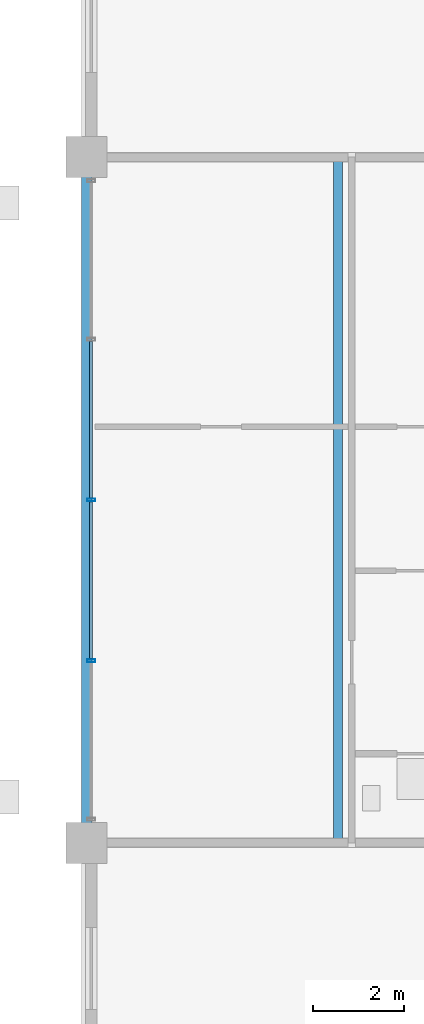
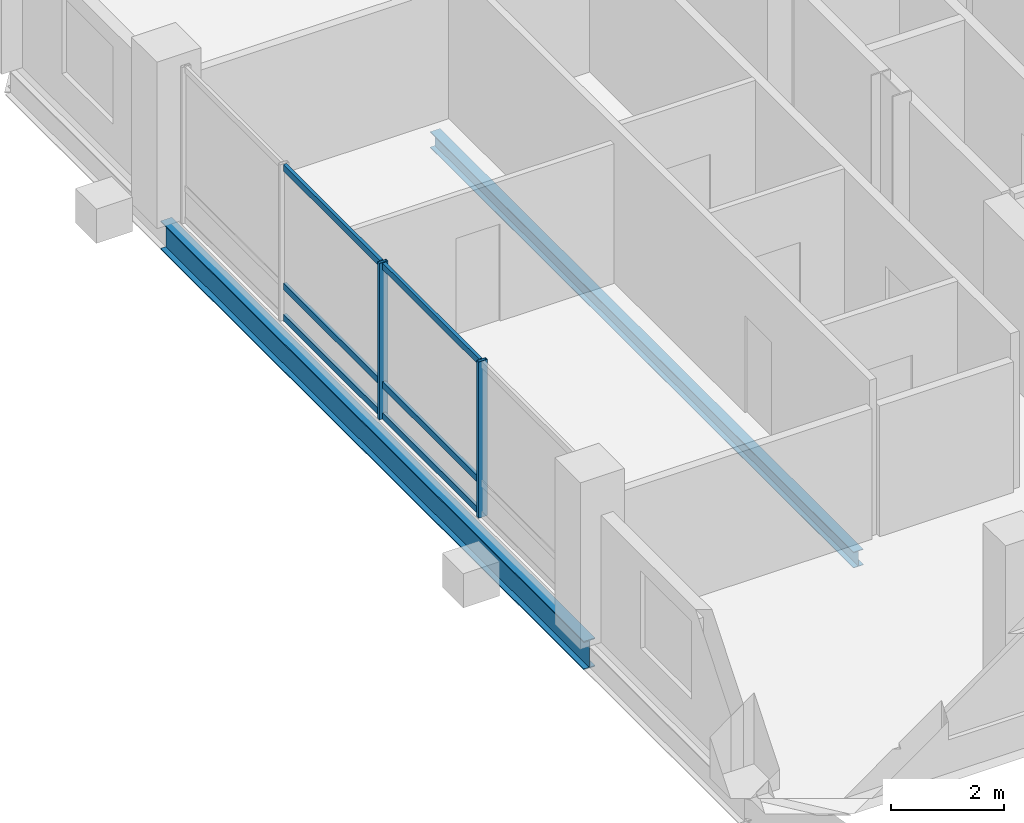
# One storey, part 6 of 21: 8 members, 2 beams, 1 element without a shape of its own.
"""IFC4 building model written with IfcOpenShell, lengths in metres."""

import ifcopenshell
import ifcopenshell.guid

model = None  # the IFC model being written
_history = None  # IfcOwnerHistory: only IFC2X3 demands one
_inside = {}  # id of a spatial element -> (the spatial element, [elements in it])
_under = {}  # id of a project, library or spatial element -> (it, [spatial elements below it])
_declared = {}  # id of a project -> (the project, [libraries it declares])
_typed = {}  # id of a type object -> (the type object, [elements of that type])
_made_of = {}  # id of a material, layer set ... -> (it, [elements and type objects made of it])


def new_model(schema):
    """Start an empty IFC model of exactly this schema.

    Asked for "IFC4X3", IfcOpenShell would pick the latest addendum, in which some entities
    have other attributes; the version numbers below select the first issue.
    IFC2X3 requires an IfcOwnerHistory on every rooted entity: one is made here for all.
    """
    global model, _history
    if schema == "IFC4X3":
        model = ifcopenshell.file(schema_version=(4, 3, 0, 0))
    else:
        model = ifcopenshell.file(schema=schema)
    _inside.clear()
    _under.clear()
    _declared.clear()
    _typed.clear()
    _made_of.clear()
    _history = None
    if model.schema == "IFC2X3":
        org = make("IfcOrganization", Name="unknown")
        user = make(
            "IfcPersonAndOrganization",
            ThePerson=make("IfcPerson", FamilyName="unknown"),
            TheOrganization=org,
        )
        app = make(
            "IfcApplication",
            ApplicationDeveloper=org,
            Version="unknown",
            ApplicationFullName="unknown",
            ApplicationIdentifier="unknown",
        )
        _history = make(
            "IfcOwnerHistory",
            OwningUser=user,
            OwningApplication=app,
            ChangeAction="ADDED",
            CreationDate=0,
        )
    return model


def make(cls, **values):
    """One entity of the class cls with the attributes given. An attribute that is None is left unset."""
    return model.create_entity(
        cls, **{name: value for name, value in values.items() if value is not None}
    )


def rooted(cls, **values):
    """An entity with a GlobalId (a new one), such as an element, a storey or a relation."""
    return make(cls, GlobalId=ifcopenshell.guid.new(), OwnerHistory=_history, **values)


def si_unit(unit_type, name, prefix=None):
    """IfcSIUnit, for example si_unit("LENGTHUNIT", "METRE", prefix="MILLI")."""
    return make("IfcSIUnit", UnitType=unit_type, Prefix=prefix, Name=name)


def assignment(units):
    """IfcUnitAssignment: the units of a project."""
    return None if units is None else make("IfcUnitAssignment", Units=units)


def point(xyz):
    """IfcCartesianPoint."""
    return None if xyz is None else make("IfcCartesianPoint", Coordinates=xyz)


def direction(xyz):
    """IfcDirection."""
    return None if xyz is None else make("IfcDirection", DirectionRatios=xyz)


def frame(location, z_axis=None, x_axis=None):
    """IfcAxis2Placement3D, a coordinate frame: its origin and axes. An axis left out is left unset."""
    return make(
        "IfcAxis2Placement3D",
        Location=point(location),
        Axis=direction(z_axis),
        RefDirection=direction(x_axis),
    )


def frame_2d(location, x_axis=None):
    """IfcAxis2Placement2D, a coordinate frame in the plane: its origin and x axis."""
    return make(
        "IfcAxis2Placement2D", Location=point(location), RefDirection=direction(x_axis)
    )


def origin():
    """The frame at (0, 0, 0) with its axes left unset."""
    return frame((0.0, 0.0, 0.0))


def origin_2d():
    """The frame at (0, 0) in the plane with its x axis left unset."""
    return frame_2d((0.0, 0.0))


def place(relative_to, where):
    """IfcLocalPlacement: puts the frame where relative to a parent placement (None: the world)."""
    return make(
        "IfcLocalPlacement", PlacementRelTo=relative_to, RelativePlacement=where
    )


def context(
    kind, dimensions, precision=None, world=None, true_north=None, identifier=None
):
    """IfcGeometricRepresentationContext, for example the 3D "Model" context."""
    return make(
        "IfcGeometricRepresentationContext",
        ContextIdentifier=identifier,
        ContextType=kind,
        CoordinateSpaceDimension=dimensions,
        Precision=precision,
        WorldCoordinateSystem=world,
        TrueNorth=true_north,
    )


def subcontext(parent, identifier, kind, view, scale=None):
    """IfcGeometricRepresentationSubContext, for example "Body" below "Model"."""
    return make(
        "IfcGeometricRepresentationSubContext",
        ContextIdentifier=identifier,
        ContextType=kind,
        ParentContext=parent,
        TargetScale=scale,
        TargetView=view,
    )


def project(units=None, contexts=None):
    """IfcProject with its units and contexts."""
    return rooted(
        "IfcProject",
        Name="project",
        RepresentationContexts=contexts,
        UnitsInContext=assignment(units),
    )


def spatial(cls, under=None, at=None, **own):
    """A site, building, storey or space (cls), placed at a placement, below another one or the project."""
    s = rooted(cls, ObjectPlacement=at, **own)
    if under is not None:
        _under.setdefault(under.id(), (under, []))[1].append(s)
    return s


def profile(cls, at=None, kind="AREA", **sizes):
    """A parametric profile (cls). Its sizes go by their IFC names, for example OverallWidth=200.0."""
    return make(cls, ProfileType=kind, Position=at, **sizes)


def hollow_rectangle(**sizes):
    """IfcRectangleHollowProfileDef."""
    return profile("IfcRectangleHollowProfileDef", **sizes)


def i_section(**sizes):
    """IfcIShapeProfileDef."""
    return profile("IfcIShapeProfileDef", **sizes)


def extrude(swept, where, along, depth):
    """IfcExtrudedAreaSolid: the profile swept, set in the frame where, extruded along a direction by depth."""
    return make(
        "IfcExtrudedAreaSolid",
        SweptArea=swept,
        Position=where,
        ExtrudedDirection=direction(along),
        Depth=depth,
    )


def shape(context_of_items, identifier, shape_type, items):
    """IfcShapeRepresentation: the items that make up one representation, for example the "Body"."""
    return make(
        "IfcShapeRepresentation",
        ContextOfItems=context_of_items,
        RepresentationIdentifier=identifier,
        RepresentationType=shape_type,
        Items=items,
    )


def material(Name=None, Category=None):
    """IfcMaterial."""
    return make("IfcMaterial", Name=Name, Category=Category)


def layer(
    of_material, thickness, ventilated=None, Name=None, Category=None, Priority=None
):
    """IfcMaterialLayer: one layer of a wall or slab, of a material (None: an air gap)."""
    return make(
        "IfcMaterialLayer",
        Material=of_material,
        LayerThickness=thickness,
        IsVentilated=ventilated,
        Name=Name,
        Category=Category,
        Priority=Priority,
    )


def layer_set(layers, Name=None):
    """IfcMaterialLayerSet."""
    return make("IfcMaterialLayerSet", MaterialLayers=layers, LayerSetName=Name)


def material_profile(
    of_material, cross_section, Name=None, Category=None, Priority=None
):
    """IfcMaterialProfile: a cross section and its material."""
    return make(
        "IfcMaterialProfile",
        Name=Name,
        Material=of_material,
        Profile=cross_section,
        Priority=Priority,
        Category=Category,
    )


def profile_set(profiles, Name=None, composite=None):
    """IfcMaterialProfileSet."""
    return make(
        "IfcMaterialProfileSet",
        Name=Name,
        MaterialProfiles=profiles,
        CompositeProfile=composite,
    )


def made_of(thing, what):
    """Note that an element or type object is made of a material, layer set ...; save() writes the relation."""
    if what is not None:
        _made_of.setdefault(what.id(), (what, []))[1].append(thing)
    return thing


def type_object(cls, material=None, **own):
    """A type object (cls), such as IfcWallType, which elements share."""
    return made_of(rooted(cls, **own), material)


def element(
    cls,
    number,
    at=None,
    inside=None,
    cuts=None,
    type_object=None,
    material=None,
    context=None,
    identifier="Body",
    shape_type=None,
    held_by="IfcProductDefinitionShape",
    body=None,
    shapes=None,
    **own,
):
    """One element of the class cls, such as IfcWall. Its Tag is "e" and its number.

    at: its placement. inside: the storey or other place that contains it. cuts: it is an
    opening in that element (IfcRelVoidsElement). A single representation is given by context,
    identifier, shape_type and body (its items); several are given by shapes. held_by: the class
    of the entity that holds the representations. save() writes the other relations.
    """
    e = rooted(cls, Tag="e%d" % number, ObjectPlacement=at, **own)
    if body is not None:
        shapes = [shape(context, identifier, shape_type, body)]
    if shapes is not None:
        e.Representation = make(held_by, Representations=shapes)
    if inside is not None:
        _inside.setdefault(inside.id(), (inside, []))[1].append(e)
    if cuts is not None:
        rooted(
            "IfcRelVoidsElement", RelatingBuildingElement=cuts, RelatedOpeningElement=e
        )
    if type_object is not None:
        _typed.setdefault(type_object.id(), (type_object, []))[1].append(e)
    return made_of(e, material)


def aggregate(whole, parts):
    """IfcRelAggregates: a whole, such as a stair, and the parts it consists of."""
    return rooted("IfcRelAggregates", RelatingObject=whole, RelatedObjects=parts)


def save(model, path):
    """Write the relations noted so far, then the file.

    IfcRelAggregates (storeys below a building ...), IfcRelContainedInSpatialStructure (elements
    in a storey), IfcRelDefinesByType, IfcRelAssociatesMaterial and IfcRelDeclares: one each for
    every whole, place, type object, material and project.
    """
    for whole, parts in _under.values():
        aggregate(whole, parts)
    for where, things in _inside.values():
        rooted(
            "IfcRelContainedInSpatialStructure",
            RelatedElements=things,
            RelatingStructure=where,
        )
    for kind, things in _typed.values():
        rooted("IfcRelDefinesByType", RelatedObjects=things, RelatingType=kind)
    for what, things in _made_of.values():
        rooted("IfcRelAssociatesMaterial", RelatedObjects=things, RelatingMaterial=what)
    for by, libraries in _declared.values():
        rooted("IfcRelDeclares", RelatingContext=by, RelatedDefinitions=libraries)
    model.write(path)


model = new_model("IFC4")

# Units and contexts
model_context = context("Model", 3, precision=1e-05, world=origin(), true_north=direction((0.0, 1.0)))
body_context = subcontext(model_context, "Body", "Model", "MODEL_VIEW")
ifc_project = project(units=[si_unit("LENGTHUNIT", "METRE"), si_unit("AREAUNIT", "SQUARE_METRE"), si_unit("VOLUMEUNIT", "CUBIC_METRE"), si_unit("PLANEANGLEUNIT", "RADIAN"), si_unit("MASSUNIT", "GRAM", prefix="KILO")], contexts=[model_context])

# Site, building, storey
site_placement = place(None, origin())
site = spatial("IfcSite", under=ifc_project, at=site_placement, CompositionType="ELEMENT")
building_placement = place(site_placement, origin())
building = spatial("IfcBuilding", under=site, at=building_placement, Name="Barlavira Tower and Art Museum", CompositionType="ELEMENT")
storey_placement = place(building_placement, frame((0.0, 0.0, 222.300048828125)))
storey = spatial("IfcBuildingStorey", under=building, at=storey_placement, Name="L57", CompositionType="ELEMENT", Elevation=222.300048828125)

# Curtain wall, members
ifc_material_1 = material(Name="Low-iron coastal laminated glass", Category="glass")
ifc_layer = layer(ifc_material_1, 0.2099609375, Name="Low-iron coastal laminated glass")
ifc_layer_set = layer_set([ifc_layer], Name="Low-iron coastal laminated glass")
curtain_wall_type = type_object("IfcCurtainWallType", Name="Pale-Metal Unitised Curtain Wall Zone 4", PredefinedType="NOTDEFINED", material=ifc_layer_set)
curtain_wall_placement = place(storey_placement, origin())
curtain_wall = element("IfcCurtainWall", 1, at=curtain_wall_placement, inside=storey, type_object=curtain_wall_type, Name="L57 Curtain Wall CW4-L57-W-B3", PredefinedType="NOTDEFINED")
ifc_material_2 = material(Name="Pale anodised aluminium", Category="aluminium")
ifc_material_profile_1 = material_profile(ifc_material_2, hollow_rectangle(XDim=0.06494140625, YDim=0.179931640625, WallThickness=0.00390625, at=origin_2d()), Name="ALU-MULL 65x180x4")
ifc_profile_set_1 = profile_set([ifc_material_profile_1], Name="Pale anodised aluminium")
member_type_1 = type_object("IfcMemberType", Name="Curtain Wall Pale-Metal Mullion 65x180", PredefinedType="MULLION", material=ifc_profile_set_1)
member_1_placement = place(storey_placement, frame((-16.89990234375, 0.0, 0.0), z_axis=(0.0, 0.0, 1.0), x_axis=(0.0, -1.0, 0.0)))
member_1 = element("IfcMember", 2, at=member_1_placement, type_object=member_type_1, Name="CW4-L57-W-B3 Mullion 2", PredefinedType="MULLION", context=body_context, shape_type="SweptSolid", body=[
    extrude(hollow_rectangle(XDim=0.06494140625, YDim=0.179931640625, WallThickness=0.00390625, at=origin_2d()), origin(), (0.0, 0.0, 1.0), 3.3798828125),
])
member_2_placement = place(storey_placement, frame((-16.89990234375, -3.514892578125, 0.0), z_axis=(0.0, 0.0, 1.0), x_axis=(0.0, -1.0, 0.0)))
member_2 = element("IfcMember", 3, at=member_2_placement, type_object=member_type_1, Name="CW4-L57-W-B3 Mullion 3", PredefinedType="MULLION", context=body_context, shape_type="SweptSolid", body=[
    extrude(hollow_rectangle(XDim=0.06494140625, YDim=0.179931640625, WallThickness=0.00390625, at=origin_2d()), origin(), (0.0, 0.0, 1.0), 3.3798828125),
])
ifc_material_profile_2 = material_profile(ifc_material_2, hollow_rectangle(XDim=0.06494140625, YDim=0.139892578125, WallThickness=0.00390625, at=origin_2d()), Name="ALU-TRAN 65x140x4")
ifc_profile_set_2 = profile_set([ifc_material_profile_2], Name="Pale anodised aluminium")
member_type_2 = type_object("IfcMemberType", Name="Curtain Wall Pale-Metal Transom 65x140", PredefinedType="USERDEFINED", material=ifc_profile_set_2)
member_3_placement = place(storey_placement, frame((-16.89990234375, 3.469970703125, 0.070068359375), z_axis=(0.0, -1.0, 0.0), x_axis=(1.0, 0.0, 0.0)))
member_3 = element("IfcMember", 4, at=member_3_placement, type_object=member_type_2, Name="CW4-L57-W-B3 Transom 1.1", ObjectType="TRANSOM", PredefinedType="USERDEFINED", context=body_context, shape_type="SweptSolid", body=[
    extrude(hollow_rectangle(XDim=0.06494140625, YDim=0.139892578125, WallThickness=0.00390625, at=origin_2d()), origin(), (0.0, 0.0, 1.0), 3.425048828125),
])
member_4_placement = place(storey_placement, frame((-16.89990234375, 3.469970703125, 0.743896484375), z_axis=(0.0, -1.0, 0.0), x_axis=(1.0, 0.0, 0.0)))
member_4 = element("IfcMember", 5, at=member_4_placement, type_object=member_type_2, Name="CW4-L57-W-B3 Transom 1.2", ObjectType="TRANSOM", PredefinedType="USERDEFINED", context=body_context, shape_type="SweptSolid", body=[
    extrude(hollow_rectangle(XDim=0.06494140625, YDim=0.139892578125, WallThickness=0.00390625, at=origin_2d()), origin(), (0.0, 0.0, 1.0), 3.425048828125),
])
member_5_placement = place(storey_placement, frame((-16.89990234375, 3.469970703125, 3.31005859375), z_axis=(0.0, -1.0, 0.0), x_axis=(1.0, 0.0, 0.0)))
member_5 = element("IfcMember", 6, at=member_5_placement, type_object=member_type_2, Name="CW4-L57-W-B3 Transom 1.3", ObjectType="TRANSOM", PredefinedType="USERDEFINED", context=body_context, shape_type="SweptSolid", body=[
    extrude(hollow_rectangle(XDim=0.06494140625, YDim=0.139892578125, WallThickness=0.00390625, at=origin_2d()), origin(), (0.0, 0.0, 1.0), 3.425048828125),
])
member_6_placement = place(storey_placement, frame((-16.89990234375, -0.044921875, 0.070068359375), z_axis=(0.0, -1.0, 0.0), x_axis=(1.0, 0.0, 0.0)))
member_6 = element("IfcMember", 7, at=member_6_placement, type_object=member_type_2, Name="CW4-L57-W-B3 Transom 2.1", ObjectType="TRANSOM", PredefinedType="USERDEFINED", context=body_context, shape_type="SweptSolid", body=[
    extrude(hollow_rectangle(XDim=0.06494140625, YDim=0.139892578125, WallThickness=0.00390625, at=origin_2d()), origin(), (0.0, 0.0, 1.0), 3.425048828125),
])
member_7_placement = place(storey_placement, frame((-16.89990234375, -0.044921875, 0.743896484375), z_axis=(0.0, -1.0, 0.0), x_axis=(1.0, 0.0, 0.0)))
member_7 = element("IfcMember", 8, at=member_7_placement, type_object=member_type_2, Name="CW4-L57-W-B3 Transom 2.2", ObjectType="TRANSOM", PredefinedType="USERDEFINED", context=body_context, shape_type="SweptSolid", body=[
    extrude(hollow_rectangle(XDim=0.06494140625, YDim=0.139892578125, WallThickness=0.00390625, at=origin_2d()), origin(), (0.0, 0.0, 1.0), 3.425048828125),
])
member_8_placement = place(storey_placement, frame((-16.89990234375, -0.044921875, 3.31005859375), z_axis=(0.0, -1.0, 0.0), x_axis=(1.0, 0.0, 0.0)))
member_8 = element("IfcMember", 9, at=member_8_placement, type_object=member_type_2, Name="CW4-L57-W-B3 Transom 2.3", ObjectType="TRANSOM", PredefinedType="USERDEFINED", context=body_context, shape_type="SweptSolid", body=[
    extrude(hollow_rectangle(XDim=0.06494140625, YDim=0.139892578125, WallThickness=0.00390625, at=origin_2d()), origin(), (0.0, 0.0, 1.0), 3.425048828125),
])
aggregate(curtain_wall, [member_1, member_2, member_3, member_4, member_5, member_6, member_7, member_8])

# Beams
ifc_material_3 = material(Name="Steel S355", Category="steel")
ifc_material_profile_3 = material_profile(ifc_material_3, i_section(OverallWidth=0.22998046875, OverallDepth=0.616943359375, WebThickness=0.01318359375, FlangeThickness=0.022216796875, at=origin_2d()), Name="W610x140.0")
ifc_profile_set_3 = profile_set([ifc_material_profile_3], Name="Steel S355")
beam_type_1 = type_object("IfcBeamType", Name="Upper Shaft Spandrel Edge Beam W610x140 Steel S355", PredefinedType="SPANDREL", material=ifc_profile_set_3)
beam_1_placement = place(storey_placement, frame((-17.0, -7.5, -0.528564453125), z_axis=(0.0, 1.0, 0.0), x_axis=(-1.0, 0.0, 0.0)))
element("IfcBeam", 10, at=beam_1_placement, inside=storey, type_object=beam_type_1, Name="L57 Spandrel 14", PredefinedType="SPANDREL", context=body_context, shape_type="SweptSolid", body=[
    extrude(i_section(OverallWidth=0.22998046875, OverallDepth=0.616943359375, WebThickness=0.01318359375, FlangeThickness=0.022216796875, at=origin_2d()), origin(), (0.0, 0.0, 1.0), 15.0),
])
ifc_material_profile_4 = material_profile(ifc_material_3, i_section(OverallWidth=0.202880859375, OverallDepth=0.346923828125, WebThickness=0.0078125, FlangeThickness=0.013427734375, at=origin_2d()), Name="W360x64.0")
ifc_profile_set_4 = profile_set([ifc_material_profile_4], Name="Steel S355")
beam_type_2 = type_object("IfcBeamType", Name="Zone 4 Composite Floor Joist W360x64 Steel S355", PredefinedType="JOIST", material=ifc_profile_set_4)
beam_2_placement = place(storey_placement, frame((-11.5, -7.5, -0.3935546875), z_axis=(0.0, 1.0, 0.0), x_axis=(-1.0, 0.0, 0.0)))
element("IfcBeam", 11, at=beam_2_placement, inside=storey, type_object=beam_type_2, Name="L57 Joist W1", PredefinedType="JOIST", context=body_context, shape_type="SweptSolid", body=[
    extrude(i_section(OverallWidth=0.202880859375, OverallDepth=0.346923828125, WebThickness=0.0078125, FlangeThickness=0.013427734375, at=origin_2d()), origin(), (0.0, 0.0, 1.0), 15.0),
])

save(model, "model.ifc")
